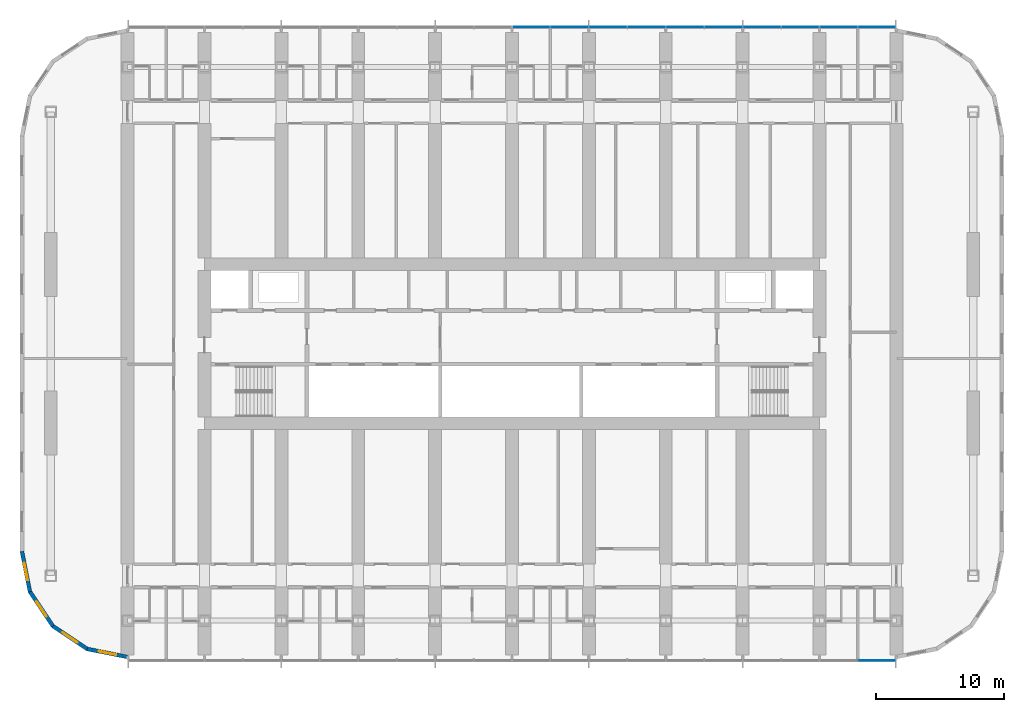
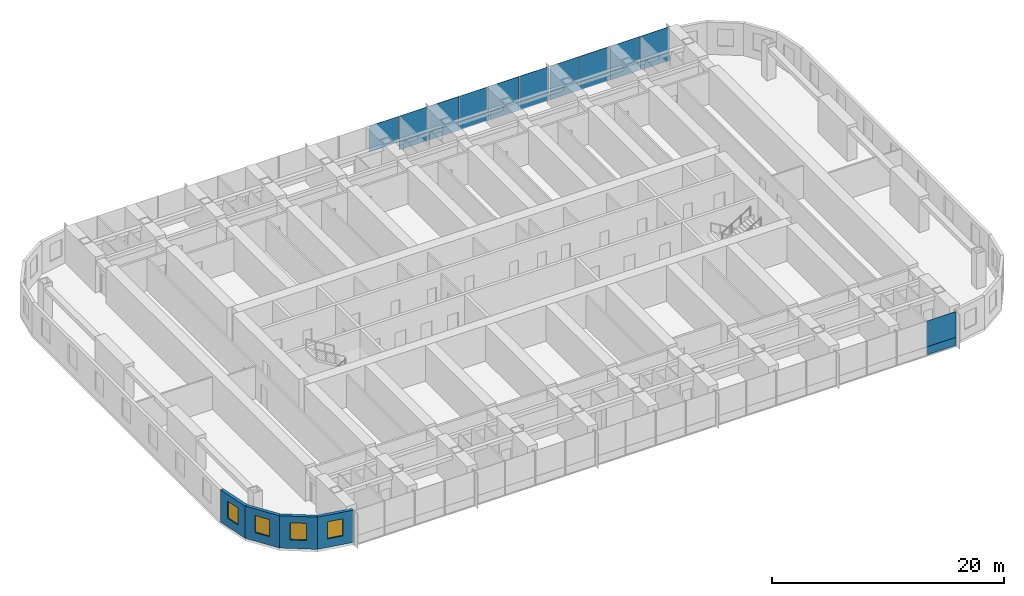
# One storey, part 9 of 23: 21 plates, 4 walls, 4 windows, 4 openings, 2 elements without a shape of their own.
"""IFC4 building model written with IfcOpenShell, lengths in metres."""

from ifc_helpers import new_model, si_unit, direction, frame, frame_2d, origin, origin_2d, place, context, subcontext, project, spatial, polyline, rectangle, outline, extrude, material, layer, layer_set, type_object, element, fill, aggregate, save


model = new_model("IFC4")

# Units and contexts
model_context = context("Model", 3, precision=1e-05, world=origin(), true_north=direction((0.0, 1.0)))
body_context = subcontext(model_context, "Body", "Model", "MODEL_VIEW")
ifc_project = project(units=[si_unit("LENGTHUNIT", "METRE"), si_unit("AREAUNIT", "SQUARE_METRE"), si_unit("VOLUMEUNIT", "CUBIC_METRE"), si_unit("PLANEANGLEUNIT", "RADIAN"), si_unit("MASSUNIT", "GRAM", prefix="KILO")], contexts=[model_context])

# Site, building, storey
site_placement = place(None, origin())
site = spatial("IfcSite", under=ifc_project, at=site_placement, CompositionType="ELEMENT")
building_placement = place(site_placement, origin())
building = spatial("IfcBuilding", under=site, at=building_placement, Name="Orbita Commons", CompositionType="ELEMENT")
storey_placement = place(building_placement, frame((0.0, 0.0, 65.199951171875)))
storey = spatial("IfcBuildingStorey", under=building, at=storey_placement, Name="L16", CompositionType="ELEMENT", Elevation=65.199951171875)

# Curtain wall, plate
ifc_material_1 = material(Name="Anodised aluminium frame, pale silver", Category="aluminium")
curtain_wall_type = type_object("IfcCurtainWallType", Name="Unitised curtain wall CW-T, vision and spandrel", PredefinedType="NOTDEFINED", material=ifc_material_1)
curtain_wall_1_placement = place(storey_placement, origin())
curtain_wall_1 = element("IfcCurtainWall", 1, at=curtain_wall_1_placement, inside=storey, type_object=curtain_wall_type, Name="Curtain wall south L16", PredefinedType="NOTDEFINED")
ifc_material_2 = material(Name="Anodised aluminium sheet on mineral wool", Category="aluminium")
ifc_layer_1 = layer(ifc_material_2, 0.050048828125)
ifc_layer_set_1 = layer_set([ifc_layer_1], Name="Anodised aluminium sheet on mineral wool")
plate_type_1 = type_object("IfcPlateType", Name="Spandrel panel, pale aluminium over insulation 50", PredefinedType="CURTAIN_PANEL", material=ifc_layer_set_1)
plate_1_placement = place(storey_placement, frame((70.47998046875, 7.2900390625, -0.14990234375), z_axis=(0.0, 0.0, 1.0), x_axis=(1.0, 0.0, 0.0)))
plate_1 = element("IfcPlate", 2, at=plate_1_placement, type_object=plate_type_1, Name="Panel 20.1 CW-L16-S", PredefinedType="CURTAIN_PANEL", context=body_context, shape_type="SweptSolid", body=[
    extrude(rectangle(XDim=2.8798828125, YDim=0.050048828125, at=origin_2d()), origin(), (0.0, 0.0, 1.0), 0.84912109375),
])

# Curtain wall, plates
curtain_wall_2_placement = place(storey_placement, origin())
curtain_wall_2 = element("IfcCurtainWall", 3, at=curtain_wall_2_placement, inside=storey, type_object=curtain_wall_type, Name="Curtain wall north L16", PredefinedType="NOTDEFINED")
plate_2_placement = place(storey_placement, frame((70.47998046875, 56.7099609375, -0.14990234375), z_axis=(0.0, 0.0, 1.0), x_axis=(-1.0, 0.0, 0.0)))
plate_2 = element("IfcPlate", 4, at=plate_2_placement, type_object=plate_type_1, Name="Panel 1.1 CW-L16-N", PredefinedType="CURTAIN_PANEL", context=body_context, shape_type="SweptSolid", body=[
    extrude(rectangle(XDim=2.8798828125, YDim=0.050048828125, at=origin_2d()), origin(), (0.0, 0.0, 1.0), 0.84912109375),
])
plate_3_placement = place(storey_placement, frame((67.5, 56.7099609375, -0.14990234375), z_axis=(0.0, 0.0, 1.0), x_axis=(-1.0, 0.0, 0.0)))
plate_3 = element("IfcPlate", 5, at=plate_3_placement, type_object=plate_type_1, Name="Panel 2.1 CW-L16-N", PredefinedType="CURTAIN_PANEL", context=body_context, shape_type="SweptSolid", body=[
    extrude(rectangle(XDim=2.919921875, YDim=0.050048828125, at=origin_2d()), origin(), (0.0, 0.0, 1.0), 0.84912109375),
])
plate_4_placement = place(storey_placement, frame((64.5, 56.7099609375, -0.14990234375), z_axis=(0.0, 0.0, 1.0), x_axis=(-1.0, 0.0, 0.0)))
plate_4 = element("IfcPlate", 6, at=plate_4_placement, type_object=plate_type_1, Name="Panel 3.1 CW-L16-N", PredefinedType="CURTAIN_PANEL", context=body_context, shape_type="SweptSolid", body=[
    extrude(rectangle(XDim=2.919921875, YDim=0.050048828125, at=origin_2d()), origin(), (0.0, 0.0, 1.0), 0.84912109375),
])
plate_5_placement = place(storey_placement, frame((61.5, 56.7099609375, -0.14990234375), z_axis=(0.0, 0.0, 1.0), x_axis=(-1.0, 0.0, 0.0)))
plate_5 = element("IfcPlate", 7, at=plate_5_placement, type_object=plate_type_1, Name="Panel 4.1 CW-L16-N", PredefinedType="CURTAIN_PANEL", context=body_context, shape_type="SweptSolid", body=[
    extrude(rectangle(XDim=2.919921875, YDim=0.050048828125, at=origin_2d()), origin(), (0.0, 0.0, 1.0), 0.84912109375),
])
plate_6_placement = place(storey_placement, frame((58.5, 56.7099609375, -0.14990234375), z_axis=(0.0, 0.0, 1.0), x_axis=(-1.0, 0.0, 0.0)))
plate_6 = element("IfcPlate", 8, at=plate_6_placement, type_object=plate_type_1, Name="Panel 5.1 CW-L16-N", PredefinedType="CURTAIN_PANEL", context=body_context, shape_type="SweptSolid", body=[
    extrude(rectangle(XDim=2.919921875, YDim=0.050048828125, at=origin_2d()), origin(), (0.0, 0.0, 1.0), 0.84912109375),
])
plate_7_placement = place(storey_placement, frame((55.5, 56.7099609375, -0.14990234375), z_axis=(0.0, 0.0, 1.0), x_axis=(-1.0, 0.0, 0.0)))
plate_7 = element("IfcPlate", 9, at=plate_7_placement, type_object=plate_type_1, Name="Panel 6.1 CW-L16-N", PredefinedType="CURTAIN_PANEL", context=body_context, shape_type="SweptSolid", body=[
    extrude(rectangle(XDim=2.919921875, YDim=0.050048828125, at=origin_2d()), origin(), (0.0, 0.0, 1.0), 0.84912109375),
])
plate_8_placement = place(storey_placement, frame((52.5, 56.7099609375, -0.14990234375), z_axis=(0.0, 0.0, 1.0), x_axis=(-1.0, 0.0, 0.0)))
plate_8 = element("IfcPlate", 10, at=plate_8_placement, type_object=plate_type_1, Name="Panel 7.1 CW-L16-N", PredefinedType="CURTAIN_PANEL", context=body_context, shape_type="SweptSolid", body=[
    extrude(rectangle(XDim=2.919921875, YDim=0.050048828125, at=origin_2d()), origin(), (0.0, 0.0, 1.0), 0.84912109375),
])
plate_9_placement = place(storey_placement, frame((49.5, 56.7099609375, -0.14990234375), z_axis=(0.0, 0.0, 1.0), x_axis=(-1.0, 0.0, 0.0)))
plate_9 = element("IfcPlate", 11, at=plate_9_placement, type_object=plate_type_1, Name="Panel 8.1 CW-L16-N", PredefinedType="CURTAIN_PANEL", context=body_context, shape_type="SweptSolid", body=[
    extrude(rectangle(XDim=2.919921875, YDim=0.050048828125, at=origin_2d()), origin(), (0.0, 0.0, 1.0), 0.84912109375),
])
plate_10_placement = place(storey_placement, frame((46.5, 56.7099609375, -0.14990234375), z_axis=(0.0, 0.0, 1.0), x_axis=(-1.0, 0.0, 0.0)))
plate_10 = element("IfcPlate", 12, at=plate_10_placement, type_object=plate_type_1, Name="Panel 9.1 CW-L16-N", PredefinedType="CURTAIN_PANEL", context=body_context, shape_type="SweptSolid", body=[
    extrude(rectangle(XDim=2.919921875, YDim=0.050048828125, at=origin_2d()), origin(), (0.0, 0.0, 1.0), 0.84912109375),
])

# Plate
ifc_material_3 = material(Name="Clear double glazing", Category="glass")
ifc_layer_2 = layer(ifc_material_3, 0.031982421875)
ifc_layer_set_2 = layer_set([ifc_layer_2], Name="Clear double glazing")
plate_type_2 = type_object("IfcPlateType", Name="Vision panel, clear double glazing 32", PredefinedType="CURTAIN_PANEL", material=ifc_layer_set_2)
plate_11_placement = place(storey_placement, frame((70.47998046875, 7.2900390625, 0.69921875), z_axis=(0.0, 0.0, 1.0), x_axis=(1.0, 0.0, 0.0)))
plate_11 = element("IfcPlate", 13, at=plate_11_placement, type_object=plate_type_2, Name="Panel 20.2 CW-L16-S", PredefinedType="CURTAIN_PANEL", context=body_context, shape_type="SweptSolid", body=[
    extrude(rectangle(XDim=2.8798828125, YDim=0.031982421875, at=origin_2d()), origin(), (0.0, 0.0, 1.0), 2.700927734375),
])

aggregate(curtain_wall_1, [plate_1, plate_11])

plate_12_placement = place(storey_placement, frame((70.47998046875, 56.7099609375, 0.69921875), z_axis=(0.0, 0.0, 1.0), x_axis=(-1.0, 0.0, 0.0)))
plate_12 = element("IfcPlate", 14, at=plate_12_placement, type_object=plate_type_2, Name="Panel 1.2 CW-L16-N", PredefinedType="CURTAIN_PANEL", context=body_context, shape_type="SweptSolid", body=[
    extrude(rectangle(XDim=2.8798828125, YDim=0.031982421875, at=origin_2d()), origin(), (0.0, 0.0, 1.0), 2.700927734375),
])

plate_13_placement = place(storey_placement, frame((67.5, 56.7099609375, 0.69921875), z_axis=(0.0, 0.0, 1.0), x_axis=(-1.0, 0.0, 0.0)))
plate_13 = element("IfcPlate", 15, at=plate_13_placement, type_object=plate_type_2, Name="Panel 2.2 CW-L16-N", PredefinedType="CURTAIN_PANEL", context=body_context, shape_type="SweptSolid", body=[
    extrude(rectangle(XDim=2.919921875, YDim=0.031982421875, at=origin_2d()), origin(), (0.0, 0.0, 1.0), 2.700927734375),
])

plate_14_placement = place(storey_placement, frame((64.5, 56.7099609375, 0.69921875), z_axis=(0.0, 0.0, 1.0), x_axis=(-1.0, 0.0, 0.0)))
plate_14 = element("IfcPlate", 16, at=plate_14_placement, type_object=plate_type_2, Name="Panel 3.2 CW-L16-N", PredefinedType="CURTAIN_PANEL", context=body_context, shape_type="SweptSolid", body=[
    extrude(rectangle(XDim=2.919921875, YDim=0.031982421875, at=origin_2d()), origin(), (0.0, 0.0, 1.0), 2.700927734375),
])

plate_15_placement = place(storey_placement, frame((61.5, 56.7099609375, 0.69921875), z_axis=(0.0, 0.0, 1.0), x_axis=(-1.0, 0.0, 0.0)))
plate_15 = element("IfcPlate", 17, at=plate_15_placement, type_object=plate_type_2, Name="Panel 4.2 CW-L16-N", PredefinedType="CURTAIN_PANEL", context=body_context, shape_type="SweptSolid", body=[
    extrude(rectangle(XDim=2.919921875, YDim=0.031982421875, at=origin_2d()), origin(), (0.0, 0.0, 1.0), 2.700927734375),
])

plate_16_placement = place(storey_placement, frame((58.5, 56.7099609375, 0.69921875), z_axis=(0.0, 0.0, 1.0), x_axis=(-1.0, 0.0, 0.0)))
plate_16 = element("IfcPlate", 18, at=plate_16_placement, type_object=plate_type_2, Name="Panel 5.2 CW-L16-N", PredefinedType="CURTAIN_PANEL", context=body_context, shape_type="SweptSolid", body=[
    extrude(rectangle(XDim=2.919921875, YDim=0.031982421875, at=origin_2d()), origin(), (0.0, 0.0, 1.0), 2.700927734375),
])

plate_17_placement = place(storey_placement, frame((55.5, 56.7099609375, 0.69921875), z_axis=(0.0, 0.0, 1.0), x_axis=(-1.0, 0.0, 0.0)))
plate_17 = element("IfcPlate", 19, at=plate_17_placement, type_object=plate_type_2, Name="Panel 6.2 CW-L16-N", PredefinedType="CURTAIN_PANEL", context=body_context, shape_type="SweptSolid", body=[
    extrude(rectangle(XDim=2.919921875, YDim=0.031982421875, at=origin_2d()), origin(), (0.0, 0.0, 1.0), 2.700927734375),
])

plate_18_placement = place(storey_placement, frame((52.5, 56.7099609375, 0.69921875), z_axis=(0.0, 0.0, 1.0), x_axis=(-1.0, 0.0, 0.0)))
plate_18 = element("IfcPlate", 20, at=plate_18_placement, type_object=plate_type_2, Name="Panel 7.2 CW-L16-N", PredefinedType="CURTAIN_PANEL", context=body_context, shape_type="SweptSolid", body=[
    extrude(rectangle(XDim=2.919921875, YDim=0.031982421875, at=origin_2d()), origin(), (0.0, 0.0, 1.0), 2.700927734375),
])

plate_19_placement = place(storey_placement, frame((49.5, 56.7099609375, 0.69921875), z_axis=(0.0, 0.0, 1.0), x_axis=(-1.0, 0.0, 0.0)))
plate_19 = element("IfcPlate", 21, at=plate_19_placement, type_object=plate_type_2, Name="Panel 8.2 CW-L16-N", PredefinedType="CURTAIN_PANEL", context=body_context, shape_type="SweptSolid", body=[
    extrude(rectangle(XDim=2.919921875, YDim=0.031982421875, at=origin_2d()), origin(), (0.0, 0.0, 1.0), 2.700927734375),
])

plate_20_placement = place(storey_placement, frame((46.5, 56.7099609375, 0.69921875), z_axis=(0.0, 0.0, 1.0), x_axis=(-1.0, 0.0, 0.0)))
plate_20 = element("IfcPlate", 22, at=plate_20_placement, type_object=plate_type_2, Name="Panel 9.2 CW-L16-N", PredefinedType="CURTAIN_PANEL", context=body_context, shape_type="SweptSolid", body=[
    extrude(rectangle(XDim=2.919921875, YDim=0.031982421875, at=origin_2d()), origin(), (0.0, 0.0, 1.0), 2.700927734375),
])

plate_21_placement = place(storey_placement, frame((43.5, 56.7099609375, 0.69921875), z_axis=(0.0, 0.0, 1.0), x_axis=(-1.0, 0.0, 0.0)))
plate_21 = element("IfcPlate", 23, at=plate_21_placement, type_object=plate_type_2, Name="Panel 10.2 CW-L16-N", PredefinedType="CURTAIN_PANEL", context=body_context, shape_type="SweptSolid", body=[
    extrude(rectangle(XDim=2.919921875, YDim=0.031982421875, at=origin_2d()), origin(), (0.0, 0.0, 1.0), 2.700927734375),
])

aggregate(curtain_wall_2, [plate_2, plate_12, plate_3, plate_13, plate_4, plate_14, plate_5, plate_15, plate_6, plate_16, plate_7, plate_17, plate_8, plate_18, plate_9, plate_19, plate_10, plate_20, plate_21])

# Wall, opening, window
ifc_material_4 = material(Name="Precast concrete C40/50, white board-marked finish", Category="concrete")
ifc_layer_3 = layer(ifc_material_4, 0.300048828125)
ifc_layer_set_3 = layer_set([ifc_layer_3], Name="Precast concrete C40/50, white board-marked finish")
wall_type = type_object("IfcWallType", Name="Precast concrete end shield 300", PredefinedType="SOLIDWALL", material=ifc_layer_set_3)
wall_1_placement = place(storey_placement, frame((3.75, 15.800048828125, 0.0), z_axis=(0.0, 0.0, 1.0), x_axis=(0.195065901187, -0.980790137692, 0.0)))
wall_1 = element("IfcWall", 24, at=wall_1_placement, inside=storey, type_object=wall_type, Name="End shield SW chord 1 L16", PredefinedType="SOLIDWALL", context=body_context, shape_type="SweptSolid", body=[
    extrude(outline(polyline([(-0.014892578125, -0.14990234375), (3.248779296875, -0.14990234375), (3.189208984375, 0.14990234375), (0.014892578125, 0.14990234375), (-0.014892578125, -0.14990234375)])), origin(), (0.0, 0.0, 1.0), 3.400146484375),
])
opening_1_placement = place(wall_1_placement, frame((0.909423828125, 0.0, 0.89990234375)))
opening_1 = element("IfcOpeningElement", 25, at=opening_1_placement, cuts=wall_1, Name="Opening W02", PredefinedType="OPENING", context=body_context, shape_type="SweptSolid", body=[
    extrude(rectangle(XDim=1.39990234375, YDim=1.800048828125, at=frame_2d((0.699951171875, 0.89990234375))), frame((0.0, 0.159912109375, 0.0), z_axis=(0.0, -1.0, 0.0), x_axis=(1.0, 0.0, 0.0)), (0.0, 0.0, 1.0), 0.320068359375),
])
ifc_material_5 = material(Name="Aluminium frame, clear double glazing", Category="aluminium")
window_type = type_object("IfcWindowType", Name="Deep-set window 1400x1800", PartitioningType="SINGLE_PANEL", PredefinedType="WINDOW", material=ifc_material_5)
window_1_placement = place(opening_1_placement, origin())
window_1 = element("IfcWindow", 26, at=window_1_placement, inside=storey, type_object=window_type, Name="Window L16-SW0", OverallHeight=1.800048828125, OverallWidth=1.39990234375, PartitioningType="SINGLE_PANEL", PredefinedType="WINDOW", context=body_context, shape_type="SweptSolid", body=[
    extrude(rectangle(XDim=1.39990234375, YDim=1.800048828125, at=frame_2d((0.699951171875, 0.89990234375))), frame((0.0, 0.030029296875, 0.0), z_axis=(0.0, -1.0, 0.0), x_axis=(1.0, 0.0, 0.0)), (0.0, 0.0, 1.0), 0.06005859375),
])
fill(opening_1, window_1)

wall_2_placement = place(storey_placement, frame((4.3779296875, 12.642822265625, 0.0), z_axis=(0.0, 0.0, 1.0), x_axis=(0.555609954424, -0.831443069936, 0.0)))
wall_2 = element("IfcWall", 27, at=wall_2_placement, inside=storey, type_object=wall_type, Name="End shield SW chord 2 L16", PredefinedType="SOLIDWALL", context=body_context, shape_type="SweptSolid", body=[
    extrude(outline(polyline([(-0.02978515625, -0.14990234375), (3.2490234375, -0.14990234375), (3.189453125, 0.14990234375), (0.02978515625, 0.14990234375), (-0.02978515625, -0.14990234375)])), origin(), (0.0, 0.0, 1.0), 3.400146484375),
])
opening_2_placement = place(wall_2_placement, frame((0.909423828125, 0.0, 0.89990234375)))
opening_2 = element("IfcOpeningElement", 28, at=opening_2_placement, cuts=wall_2, Name="Opening W02", PredefinedType="OPENING", context=body_context, shape_type="SweptSolid", body=[
    extrude(rectangle(XDim=1.39990234375, YDim=1.800048828125, at=frame_2d((0.699951171875, 0.89990234375))), frame((0.0, 0.159912109375, 0.0), z_axis=(0.0, -1.0, 0.0), x_axis=(1.0, 0.0, 0.0)), (0.0, 0.0, 1.0), 0.320068359375),
])
window_2_placement = place(opening_2_placement, origin())
window_2 = element("IfcWindow", 29, at=window_2_placement, inside=storey, type_object=window_type, Name="Window L16-SW1", OverallHeight=1.800048828125, OverallWidth=1.39990234375, PartitioningType="SINGLE_PANEL", PredefinedType="WINDOW", context=body_context, shape_type="SweptSolid", body=[
    extrude(rectangle(XDim=1.39990234375, YDim=1.800048828125, at=frame_2d((0.699951171875, 0.89990234375))), frame((0.0, 0.030029296875, 0.0), z_axis=(0.0, -1.0, 0.0), x_axis=(1.0, 0.0, 0.0)), (0.0, 0.0, 1.0), 0.06005859375),
])
fill(opening_2, window_2)

wall_3_placement = place(storey_placement, frame((6.16650390625, 9.96630859375, 0.0), z_axis=(0.0, 0.0, 1.0), x_axis=(0.831478105043, -0.555557522525, 0.0)))
wall_3 = element("IfcWall", 30, at=wall_3_placement, inside=storey, type_object=wall_type, Name="End shield SW chord 3 L16", PredefinedType="SOLIDWALL", context=body_context, shape_type="SweptSolid", body=[
    extrude(outline(polyline([(-0.02978515625, -0.14990234375), (3.248779296875, -0.14990234375), (3.189208984375, 0.14990234375), (0.02978515625, 0.14990234375), (-0.02978515625, -0.14990234375)])), origin(), (0.0, 0.0, 1.0), 3.400146484375),
])
opening_3_placement = place(wall_3_placement, frame((0.909423828125, 0.0, 0.89990234375)))
opening_3 = element("IfcOpeningElement", 31, at=opening_3_placement, cuts=wall_3, Name="Opening W02", PredefinedType="OPENING", context=body_context, shape_type="SweptSolid", body=[
    extrude(rectangle(XDim=1.39990234375, YDim=1.800048828125, at=frame_2d((0.699951171875, 0.89990234375))), frame((0.0, 0.159912109375, 0.0), z_axis=(0.0, -1.0, 0.0), x_axis=(1.0, 0.0, 0.0)), (0.0, 0.0, 1.0), 0.320068359375),
])
window_3_placement = place(opening_3_placement, origin())
window_3 = element("IfcWindow", 32, at=window_3_placement, inside=storey, type_object=window_type, Name="Window L16-SW2", OverallHeight=1.800048828125, OverallWidth=1.39990234375, PartitioningType="SINGLE_PANEL", PredefinedType="WINDOW", context=body_context, shape_type="SweptSolid", body=[
    extrude(rectangle(XDim=1.39990234375, YDim=1.800048828125, at=frame_2d((0.699951171875, 0.89990234375))), frame((0.0, 0.030029296875, 0.0), z_axis=(0.0, -1.0, 0.0), x_axis=(1.0, 0.0, 0.0)), (0.0, 0.0, 1.0), 0.06005859375),
])
fill(opening_3, window_3)

wall_4_placement = place(storey_placement, frame((8.843017578125, 8.177978515625, 0.0), z_axis=(0.0, 0.0, 1.0), x_axis=(0.980787251524, -0.195080412259, 0.0)))
wall_4 = element("IfcWall", 33, at=wall_4_placement, inside=storey, type_object=wall_type, Name="End shield SW chord 4 L16", PredefinedType="SOLIDWALL", context=body_context, shape_type="SweptSolid", body=[
    extrude(outline(polyline([(-0.02978515625, -0.14990234375), (3.24853515625, -0.14990234375), (3.18896484375, 0.14990234375), (0.02978515625, 0.14990234375), (-0.02978515625, -0.14990234375)])), origin(), (0.0, 0.0, 1.0), 3.400146484375),
])
opening_4_placement = place(wall_4_placement, frame((0.909423828125, 0.0, 0.89990234375)))
opening_4 = element("IfcOpeningElement", 34, at=opening_4_placement, cuts=wall_4, Name="Opening W02", PredefinedType="OPENING", context=body_context, shape_type="SweptSolid", body=[
    extrude(rectangle(XDim=1.39990234375, YDim=1.800048828125, at=frame_2d((0.699951171875, 0.89990234375))), frame((0.0, 0.159912109375, 0.0), z_axis=(0.0, -1.0, 0.0), x_axis=(1.0, 0.0, 0.0)), (0.0, 0.0, 1.0), 0.320068359375),
])
window_4_placement = place(opening_4_placement, origin())
window_4 = element("IfcWindow", 35, at=window_4_placement, inside=storey, type_object=window_type, Name="Window L16-SW3", OverallHeight=1.800048828125, OverallWidth=1.39990234375, PartitioningType="SINGLE_PANEL", PredefinedType="WINDOW", context=body_context, shape_type="SweptSolid", body=[
    extrude(rectangle(XDim=1.39990234375, YDim=1.800048828125, at=frame_2d((0.699951171875, 0.89990234375))), frame((0.0, 0.030029296875, 0.0), z_axis=(0.0, -1.0, 0.0), x_axis=(1.0, 0.0, 0.0)), (0.0, 0.0, 1.0), 0.06005859375),
])
fill(opening_4, window_4)

save(model, "model.ifc")
